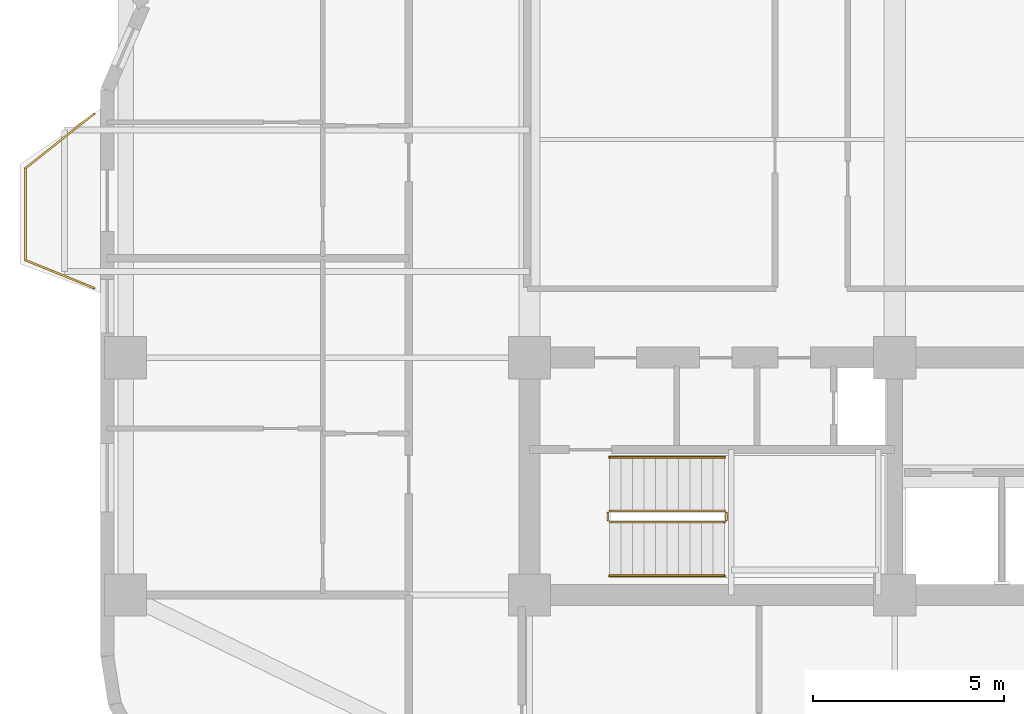
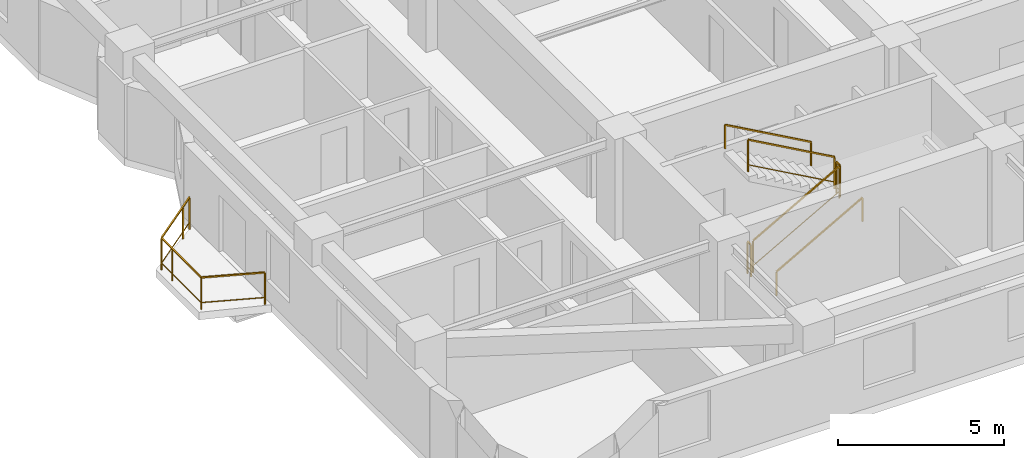
# One storey, part 8 of 9: 7 railings.
"""IFC4 building model written with IfcOpenShell, lengths in metres."""

from ifc_helpers import new_model, si_unit, direction, frame, origin, origin_2d, place, context, subcontext, project, spatial, rectangle, extrude, material, type_object, element, save


model = new_model("IFC4")

# Units and contexts
model_context = context("Model", 3, precision=1e-05, world=origin(), true_north=direction((0.0, 1.0)))
body_context = subcontext(model_context, "Body", "Model", "MODEL_VIEW")
ifc_project = project(units=[si_unit("LENGTHUNIT", "METRE"), si_unit("AREAUNIT", "SQUARE_METRE"), si_unit("VOLUMEUNIT", "CUBIC_METRE"), si_unit("PLANEANGLEUNIT", "RADIAN"), si_unit("MASSUNIT", "GRAM", prefix="KILO")], contexts=[model_context])

# Site, building, storey
site_placement = place(None, origin())
site = spatial("IfcSite", under=ifc_project, at=site_placement, CompositionType="ELEMENT")
building_placement = place(site_placement, origin())
building = spatial("IfcBuilding", under=site, at=building_placement, Name="Svetorya Sky Lyceum", CompositionType="ELEMENT")
storey_placement = place(building_placement, frame((0.0, 0.0, 103.10009765625)))
storey = spatial("IfcBuildingStorey", under=building, at=storey_placement, Name="L25", CompositionType="ELEMENT", Elevation=103.10009765625)

# Railings
ifc_material_1 = material(Name="Laminated safety glass and stainless AISI 316", Category="glass")
railing_type_1 = type_object("IfcRailingType", Name="RL-BAL-1200", PredefinedType="BALUSTRADE", material=ifc_material_1)
railing_1_placement = place(storey_placement, frame((14.22998046875, 18.6201171875, 0.0)))
element("IfcRailing", 1, at=railing_1_placement, inside=storey, type_object=railing_type_1, Name="L25 Balcony Balustrade BAL-W1", PredefinedType="BALUSTRADE", context=body_context, shape_type="SweptSolid", body=[
    extrude(rectangle(XDim=0.048095703125, YDim=0.048095703125, at=origin_2d()), frame((0.0, 0.0, 1.17578125), z_axis=(-0.926697865975, 0.375807218129, 0.0), x_axis=(-0.375807218129, -0.926697865975, 0.0)), (0.0, 0.0, 1.0), 1.9423828125),
    extrude(rectangle(XDim=0.02392578125, YDim=0.02392578125, at=origin_2d()), frame((0.0, 0.0, 0.25), z_axis=(-0.926697865975, 0.375807218129, 0.0), x_axis=(-0.375807218129, -0.926697865975, 0.0)), (0.0, 0.0, 1.0), 1.9423828125),
    extrude(rectangle(XDim=0.048095703125, YDim=0.048095703125, at=origin_2d()), frame((-1.800048828125, 0.72998046875, 1.17578125), z_axis=(0.0, 1.0, 0.0), x_axis=(-1.0, 0.0, 0.0)), (0.0, 0.0, 1.0), 2.39990234375),
    extrude(rectangle(XDim=0.02392578125, YDim=0.02392578125, at=origin_2d()), frame((-1.800048828125, 0.72998046875, 0.25), z_axis=(0.0, 1.0, 0.0), x_axis=(-1.0, 0.0, 0.0)), (0.0, 0.0, 1.0), 2.39990234375),
    extrude(rectangle(XDim=0.048095703125, YDim=0.048095703125, at=origin_2d()), frame((-1.800048828125, 3.1298828125, 1.17578125), z_axis=(0.783008919264, 0.622010476079, 0.0), x_axis=(-0.622010476079, 0.783008919264, 0.0)), (0.0, 0.0, 1.0), 2.298828125),
    extrude(rectangle(XDim=0.02392578125, YDim=0.02392578125, at=origin_2d()), frame((-1.800048828125, 3.1298828125, 0.25), z_axis=(0.783008919264, 0.622010476079, 0.0), x_axis=(-0.622010476079, 0.783008919264, 0.0)), (0.0, 0.0, 1.0), 2.298828125),
    extrude(rectangle(XDim=0.0419921875, YDim=0.0419921875, at=origin_2d()), origin(), (0.0, 0.0, 1.0), 1.15185546875),
    extrude(rectangle(XDim=0.0419921875, YDim=0.0419921875, at=origin_2d()), frame((-1.800048828125, 0.72998046875, 0.0)), (0.0, 0.0, 1.0), 1.15185546875),
    extrude(rectangle(XDim=0.0419921875, YDim=0.0419921875, at=origin_2d()), frame((-1.800048828125, 2.47998046875, 0.0)), (0.0, 0.0, 1.0), 1.15185546875),
    extrude(rectangle(XDim=0.0419921875, YDim=0.0419921875, at=origin_2d()), frame((-1.800048828125, 3.1298828125, 0.0)), (0.0, 0.0, 1.0), 1.15185546875),
    extrude(rectangle(XDim=0.0419921875, YDim=0.0419921875, at=origin_2d()), frame((-0.4296875, 4.218505859375, 0.0)), (0.0, 0.0, 1.0), 1.15185546875),
    extrude(rectangle(XDim=0.0419921875, YDim=0.0419921875, at=origin_2d()), frame((0.0, 4.559814453125, 0.0)), (0.0, 0.0, 1.0), 1.15185546875),
])
ifc_material_2 = material(Name="Painted galvanized stair well guard")
railing_type_2 = type_object("IfcRailingType", Name="RL-STR-GUARD-1200", PredefinedType="GUARDRAIL", material=ifc_material_2)
railing_2_placement = place(storey_placement, frame((27.699951171875, 12.5, 0.16796875)))
element("IfcRailing", 2, at=railing_2_placement, inside=storey, type_object=railing_type_2, Name="L25 ST-S stair guard 1", PredefinedType="GUARDRAIL", context=body_context, shape_type="SweptSolid", body=[
    extrude(rectangle(XDim=0.048095703125, YDim=0.048095703125, at=origin_2d()), frame((0.0, 0.0, 1.17578125), z_axis=(0.872272294576, 0.0, 0.489020494575), x_axis=(0.0, 1.0, 0.0)), (0.0, 0.0, 1.0), 3.439208984375),
    extrude(rectangle(XDim=0.02392578125, YDim=0.02392578125, at=origin_2d()), frame((0.0, 0.0, 0.25), z_axis=(0.872272294576, 0.0, 0.489020494575), x_axis=(0.0, 1.0, 0.0)), (0.0, 0.0, 1.0), 3.439208984375),
    extrude(rectangle(XDim=0.0419921875, YDim=0.0419921875, at=origin_2d()), origin(), (0.0, 0.0, 1.0), 1.15185546875),
    extrude(rectangle(XDim=0.0419921875, YDim=0.0419921875, at=origin_2d()), frame((3.0, 0.0, 1.681884765625)), (0.0, 0.0, 1.0), 1.15185546875),
])
railing_3_placement = place(storey_placement, frame((30.75, 12.550048828125, 1.849853515625)))
element("IfcRailing", 3, at=railing_3_placement, inside=storey, type_object=railing_type_2, Name="L25 ST-S stair guard 2", PredefinedType="GUARDRAIL", context=body_context, shape_type="SweptSolid", body=[
    extrude(rectangle(XDim=0.048095703125, YDim=0.048095703125, at=origin_2d()), frame((0.0, 0.0, 1.17578125), z_axis=(0.0, 1.0, 0.0), x_axis=(-1.0, 0.0, 0.0)), (0.0, 0.0, 1.0), 0.199951171875),
    extrude(rectangle(XDim=0.02392578125, YDim=0.02392578125, at=origin_2d()), frame((0.0, 0.0, 0.25), z_axis=(0.0, 1.0, 0.0), x_axis=(-1.0, 0.0, 0.0)), (0.0, 0.0, 1.0), 0.199951171875),
    extrude(rectangle(XDim=0.0419921875, YDim=0.0419921875, at=origin_2d()), origin(), (0.0, 0.0, 1.0), 1.15185546875),
    extrude(rectangle(XDim=0.0419921875, YDim=0.0419921875, at=origin_2d()), frame((0.0, 0.199951171875, 0.0)), (0.0, 0.0, 1.0), 1.15185546875),
])
railing_4_placement = place(storey_placement, frame((30.699951171875, 12.800048828125, 2.01806640625)))
element("IfcRailing", 4, at=railing_4_placement, inside=storey, type_object=railing_type_2, Name="L25 ST-S stair guard 3", PredefinedType="GUARDRAIL", context=body_context, shape_type="SweptSolid", body=[
    extrude(rectangle(XDim=0.048095703125, YDim=0.048095703125, at=origin_2d()), frame((0.0, 0.0, 1.17578125), z_axis=(-0.872272294576, 0.0, 0.489020494575), x_axis=(0.0, -1.0, 0.0)), (0.0, 0.0, 1.0), 3.439208984375),
    extrude(rectangle(XDim=0.02392578125, YDim=0.02392578125, at=origin_2d()), frame((0.0, 0.0, 0.25), z_axis=(-0.872272294576, 0.0, 0.489020494575), x_axis=(0.0, -1.0, 0.0)), (0.0, 0.0, 1.0), 3.439208984375),
    extrude(rectangle(XDim=0.0419921875, YDim=0.0419921875, at=origin_2d()), origin(), (0.0, 0.0, 1.0), 1.15185546875),
    extrude(rectangle(XDim=0.0419921875, YDim=0.0419921875, at=origin_2d()), frame((-3.0, 0.0, 1.681884765625)), (0.0, 0.0, 1.0), 1.15185546875),
])
railing_5_placement = place(storey_placement, frame((27.64990234375, 12.550048828125, 0.0)))
element("IfcRailing", 5, at=railing_5_placement, inside=storey, type_object=railing_type_2, Name="L25 ST-S stair guard 4", PredefinedType="GUARDRAIL", context=body_context, shape_type="SweptSolid", body=[
    extrude(rectangle(XDim=0.048095703125, YDim=0.048095703125, at=origin_2d()), frame((0.0, 0.0, 1.17578125), z_axis=(0.0, 1.0, 0.0), x_axis=(-1.0, 0.0, 0.0)), (0.0, 0.0, 1.0), 0.199951171875),
    extrude(rectangle(XDim=0.02392578125, YDim=0.02392578125, at=origin_2d()), frame((0.0, 0.0, 0.25), z_axis=(0.0, 1.0, 0.0), x_axis=(-1.0, 0.0, 0.0)), (0.0, 0.0, 1.0), 0.199951171875),
    extrude(rectangle(XDim=0.0419921875, YDim=0.0419921875, at=origin_2d()), origin(), (0.0, 0.0, 1.0), 1.15185546875),
    extrude(rectangle(XDim=0.0419921875, YDim=0.0419921875, at=origin_2d()), frame((0.0, 0.199951171875, 0.0)), (0.0, 0.0, 1.0), 1.15185546875),
])
ifc_material_3 = material(Name="Brushed stainless AISI 304 stair handrail")
railing_type_3 = type_object("IfcRailingType", Name="RL-STR-HAND-920", PredefinedType="HANDRAIL", material=ifc_material_3)
railing_6_placement = place(storey_placement, frame((27.699951171875, 11.10009765625, 0.16796875)))
element("IfcRailing", 6, at=railing_6_placement, inside=storey, type_object=railing_type_3, Name="L25 ST-S stair handrail 1", PredefinedType="HANDRAIL", context=body_context, shape_type="SweptSolid", body=[
    extrude(rectangle(XDim=0.048095703125, YDim=0.048095703125, at=origin_2d()), frame((0.0, 0.0, 0.8759765625), z_axis=(0.872272294576, 0.0, 0.489020494575), x_axis=(0.0, 1.0, 0.0)), (0.0, 0.0, 1.0), 3.439208984375),
    extrude(rectangle(XDim=0.0419921875, YDim=0.0419921875, at=origin_2d()), origin(), (0.0, 0.0, 1.0), 0.851806640625),
    extrude(rectangle(XDim=0.0419921875, YDim=0.0419921875, at=origin_2d()), frame((3.0, 0.0, 1.681884765625)), (0.0, 0.0, 1.0), 0.851806640625),
])
railing_7_placement = place(storey_placement, frame((30.699951171875, 14.199951171875, 2.01806640625)))
element("IfcRailing", 7, at=railing_7_placement, inside=storey, type_object=railing_type_3, Name="L25 ST-S stair handrail 2", PredefinedType="HANDRAIL", context=body_context, shape_type="SweptSolid", body=[
    extrude(rectangle(XDim=0.048095703125, YDim=0.048095703125, at=origin_2d()), frame((0.0, 0.0, 0.8759765625), z_axis=(-0.872272294576, 0.0, 0.489020494575), x_axis=(0.0, -1.0, 0.0)), (0.0, 0.0, 1.0), 3.439208984375),
    extrude(rectangle(XDim=0.0419921875, YDim=0.0419921875, at=origin_2d()), origin(), (0.0, 0.0, 1.0), 0.851806640625),
    extrude(rectangle(XDim=0.0419921875, YDim=0.0419921875, at=origin_2d()), frame((-3.0, 0.0, 1.681884765625)), (0.0, 0.0, 1.0), 0.851806640625),
])

save(model, "model.ifc")
